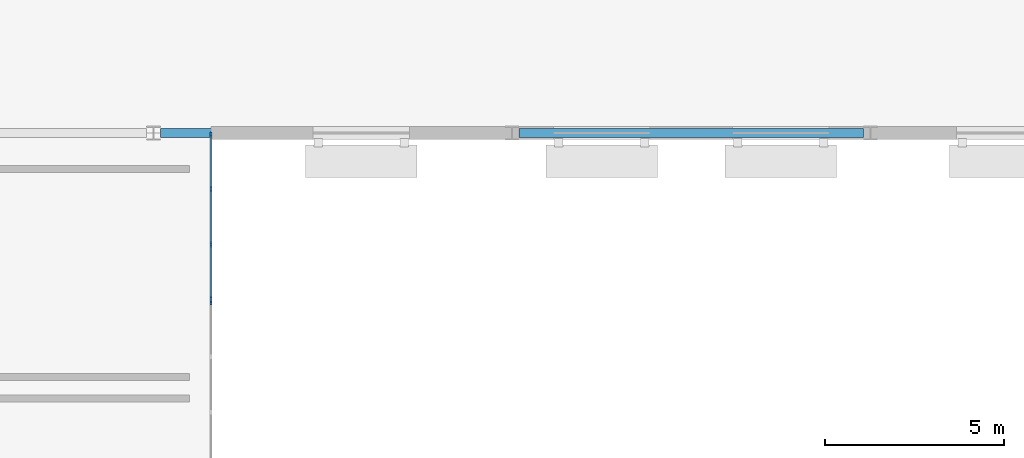
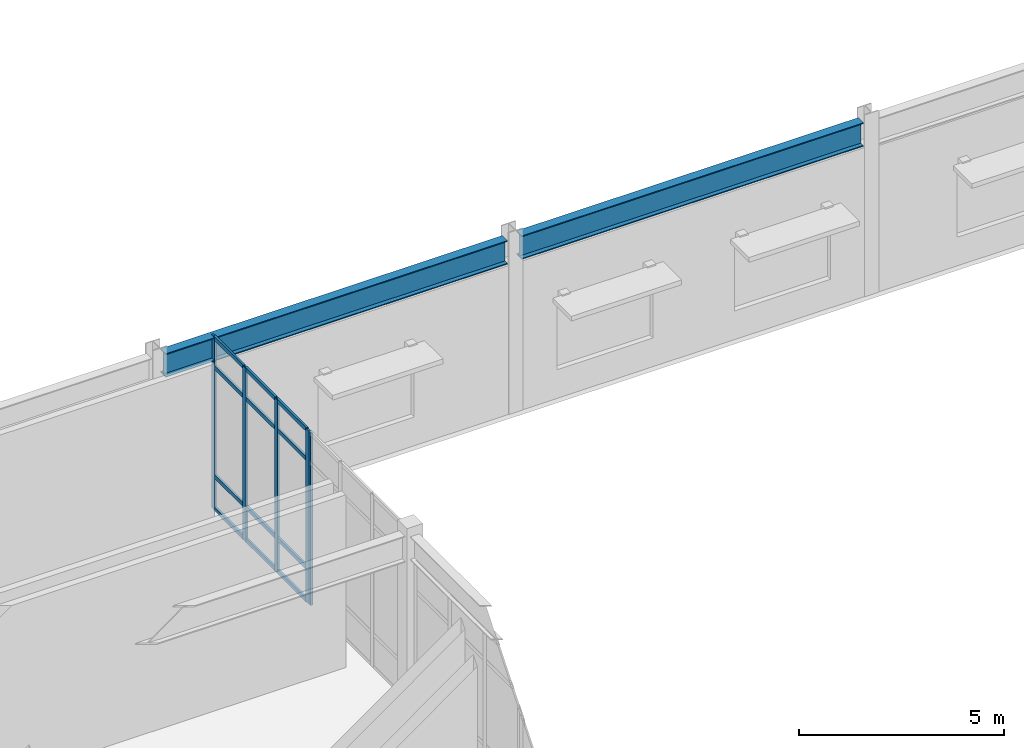
# One storey, part 15 of 72: 17 members, 2 beams, 2 elements without a shape of their own.
"""IFC4 building model written with IfcOpenShell, lengths in metres."""

import ifcopenshell
import ifcopenshell.guid

model = None  # the IFC model being written
_history = None  # IfcOwnerHistory: only IFC2X3 demands one
_inside = {}  # id of a spatial element -> (the spatial element, [elements in it])
_under = {}  # id of a project, library or spatial element -> (it, [spatial elements below it])
_declared = {}  # id of a project -> (the project, [libraries it declares])
_typed = {}  # id of a type object -> (the type object, [elements of that type])
_made_of = {}  # id of a material, layer set ... -> (it, [elements and type objects made of it])


def new_model(schema):
    """Start an empty IFC model of exactly this schema.

    Asked for "IFC4X3", IfcOpenShell would pick the latest addendum, in which some entities
    have other attributes; the version numbers below select the first issue.
    IFC2X3 requires an IfcOwnerHistory on every rooted entity: one is made here for all.
    """
    global model, _history
    if schema == "IFC4X3":
        model = ifcopenshell.file(schema_version=(4, 3, 0, 0))
    else:
        model = ifcopenshell.file(schema=schema)
    _inside.clear()
    _under.clear()
    _declared.clear()
    _typed.clear()
    _made_of.clear()
    _history = None
    if model.schema == "IFC2X3":
        org = make("IfcOrganization", Name="unknown")
        user = make(
            "IfcPersonAndOrganization",
            ThePerson=make("IfcPerson", FamilyName="unknown"),
            TheOrganization=org,
        )
        app = make(
            "IfcApplication",
            ApplicationDeveloper=org,
            Version="unknown",
            ApplicationFullName="unknown",
            ApplicationIdentifier="unknown",
        )
        _history = make(
            "IfcOwnerHistory",
            OwningUser=user,
            OwningApplication=app,
            ChangeAction="ADDED",
            CreationDate=0,
        )
    return model


def make(cls, **values):
    """One entity of the class cls with the attributes given. An attribute that is None is left unset."""
    return model.create_entity(
        cls, **{name: value for name, value in values.items() if value is not None}
    )


def rooted(cls, **values):
    """An entity with a GlobalId (a new one), such as an element, a storey or a relation."""
    return make(cls, GlobalId=ifcopenshell.guid.new(), OwnerHistory=_history, **values)


def si_unit(unit_type, name, prefix=None):
    """IfcSIUnit, for example si_unit("LENGTHUNIT", "METRE", prefix="MILLI")."""
    return make("IfcSIUnit", UnitType=unit_type, Prefix=prefix, Name=name)


def assignment(units):
    """IfcUnitAssignment: the units of a project."""
    return None if units is None else make("IfcUnitAssignment", Units=units)


def point(xyz):
    """IfcCartesianPoint."""
    return None if xyz is None else make("IfcCartesianPoint", Coordinates=xyz)


def direction(xyz):
    """IfcDirection."""
    return None if xyz is None else make("IfcDirection", DirectionRatios=xyz)


def frame(location, z_axis=None, x_axis=None):
    """IfcAxis2Placement3D, a coordinate frame: its origin and axes. An axis left out is left unset."""
    return make(
        "IfcAxis2Placement3D",
        Location=point(location),
        Axis=direction(z_axis),
        RefDirection=direction(x_axis),
    )


def frame_2d(location, x_axis=None):
    """IfcAxis2Placement2D, a coordinate frame in the plane: its origin and x axis."""
    return make(
        "IfcAxis2Placement2D", Location=point(location), RefDirection=direction(x_axis)
    )


def origin():
    """The frame at (0, 0, 0) with its axes left unset."""
    return frame((0.0, 0.0, 0.0))


def origin_2d():
    """The frame at (0, 0) in the plane with its x axis left unset."""
    return frame_2d((0.0, 0.0))


def place(relative_to, where):
    """IfcLocalPlacement: puts the frame where relative to a parent placement (None: the world)."""
    return make(
        "IfcLocalPlacement", PlacementRelTo=relative_to, RelativePlacement=where
    )


def context(
    kind, dimensions, precision=None, world=None, true_north=None, identifier=None
):
    """IfcGeometricRepresentationContext, for example the 3D "Model" context."""
    return make(
        "IfcGeometricRepresentationContext",
        ContextIdentifier=identifier,
        ContextType=kind,
        CoordinateSpaceDimension=dimensions,
        Precision=precision,
        WorldCoordinateSystem=world,
        TrueNorth=true_north,
    )


def subcontext(parent, identifier, kind, view, scale=None):
    """IfcGeometricRepresentationSubContext, for example "Body" below "Model"."""
    return make(
        "IfcGeometricRepresentationSubContext",
        ContextIdentifier=identifier,
        ContextType=kind,
        ParentContext=parent,
        TargetScale=scale,
        TargetView=view,
    )


def project(units=None, contexts=None):
    """IfcProject with its units and contexts."""
    return rooted(
        "IfcProject",
        Name="project",
        RepresentationContexts=contexts,
        UnitsInContext=assignment(units),
    )


def spatial(cls, under=None, at=None, **own):
    """A site, building, storey or space (cls), placed at a placement, below another one or the project."""
    s = rooted(cls, ObjectPlacement=at, **own)
    if under is not None:
        _under.setdefault(under.id(), (under, []))[1].append(s)
    return s


def profile(cls, at=None, kind="AREA", **sizes):
    """A parametric profile (cls). Its sizes go by their IFC names, for example OverallWidth=200.0."""
    return make(cls, ProfileType=kind, Position=at, **sizes)


def rectangle(**sizes):
    """IfcRectangleProfileDef."""
    return profile("IfcRectangleProfileDef", **sizes)


def i_section(**sizes):
    """IfcIShapeProfileDef."""
    return profile("IfcIShapeProfileDef", **sizes)


def extrude(swept, where, along, depth):
    """IfcExtrudedAreaSolid: the profile swept, set in the frame where, extruded along a direction by depth."""
    return make(
        "IfcExtrudedAreaSolid",
        SweptArea=swept,
        Position=where,
        ExtrudedDirection=direction(along),
        Depth=depth,
    )


def shape(context_of_items, identifier, shape_type, items):
    """IfcShapeRepresentation: the items that make up one representation, for example the "Body"."""
    return make(
        "IfcShapeRepresentation",
        ContextOfItems=context_of_items,
        RepresentationIdentifier=identifier,
        RepresentationType=shape_type,
        Items=items,
    )


def material(Name=None, Category=None):
    """IfcMaterial."""
    return make("IfcMaterial", Name=Name, Category=Category)


def material_profile(
    of_material, cross_section, Name=None, Category=None, Priority=None
):
    """IfcMaterialProfile: a cross section and its material."""
    return make(
        "IfcMaterialProfile",
        Name=Name,
        Material=of_material,
        Profile=cross_section,
        Priority=Priority,
        Category=Category,
    )


def profile_set(profiles, Name=None, composite=None):
    """IfcMaterialProfileSet."""
    return make(
        "IfcMaterialProfileSet",
        Name=Name,
        MaterialProfiles=profiles,
        CompositeProfile=composite,
    )


def made_of(thing, what):
    """Note that an element or type object is made of a material, layer set ...; save() writes the relation."""
    if what is not None:
        _made_of.setdefault(what.id(), (what, []))[1].append(thing)
    return thing


def type_object(cls, material=None, **own):
    """A type object (cls), such as IfcWallType, which elements share."""
    return made_of(rooted(cls, **own), material)


def element(
    cls,
    number,
    at=None,
    inside=None,
    cuts=None,
    type_object=None,
    material=None,
    context=None,
    identifier="Body",
    shape_type=None,
    held_by="IfcProductDefinitionShape",
    body=None,
    shapes=None,
    **own,
):
    """One element of the class cls, such as IfcWall. Its Tag is "e" and its number.

    at: its placement. inside: the storey or other place that contains it. cuts: it is an
    opening in that element (IfcRelVoidsElement). A single representation is given by context,
    identifier, shape_type and body (its items); several are given by shapes. held_by: the class
    of the entity that holds the representations. save() writes the other relations.
    """
    e = rooted(cls, Tag="e%d" % number, ObjectPlacement=at, **own)
    if body is not None:
        shapes = [shape(context, identifier, shape_type, body)]
    if shapes is not None:
        e.Representation = make(held_by, Representations=shapes)
    if inside is not None:
        _inside.setdefault(inside.id(), (inside, []))[1].append(e)
    if cuts is not None:
        rooted(
            "IfcRelVoidsElement", RelatingBuildingElement=cuts, RelatedOpeningElement=e
        )
    if type_object is not None:
        _typed.setdefault(type_object.id(), (type_object, []))[1].append(e)
    return made_of(e, material)


def aggregate(whole, parts):
    """IfcRelAggregates: a whole, such as a stair, and the parts it consists of."""
    return rooted("IfcRelAggregates", RelatingObject=whole, RelatedObjects=parts)


def save(model, path):
    """Write the relations noted so far, then the file.

    IfcRelAggregates (storeys below a building ...), IfcRelContainedInSpatialStructure (elements
    in a storey), IfcRelDefinesByType, IfcRelAssociatesMaterial and IfcRelDeclares: one each for
    every whole, place, type object, material and project.
    """
    for whole, parts in _under.values():
        aggregate(whole, parts)
    for where, things in _inside.values():
        rooted(
            "IfcRelContainedInSpatialStructure",
            RelatedElements=things,
            RelatingStructure=where,
        )
    for kind, things in _typed.values():
        rooted("IfcRelDefinesByType", RelatedObjects=things, RelatingType=kind)
    for what, things in _made_of.values():
        rooted("IfcRelAssociatesMaterial", RelatedObjects=things, RelatingMaterial=what)
    for by, libraries in _declared.values():
        rooted("IfcRelDeclares", RelatingContext=by, RelatedDefinitions=libraries)
    model.write(path)


model = new_model("IFC4")

# Units and contexts
model_context = context("Model", 3, precision=1e-05, world=origin(), true_north=direction((0.0, 1.0)))
body_context = subcontext(model_context, "Body", "Model", "MODEL_VIEW")
ifc_project = project(units=[si_unit("LENGTHUNIT", "METRE"), si_unit("AREAUNIT", "SQUARE_METRE"), si_unit("VOLUMEUNIT", "CUBIC_METRE"), si_unit("PLANEANGLEUNIT", "RADIAN"), si_unit("MASSUNIT", "GRAM", prefix="KILO")], contexts=[model_context])

# Site, building, storey
site_placement = place(None, origin())
site = spatial("IfcSite", under=ifc_project, at=site_placement, CompositionType="ELEMENT")
building_placement = place(site_placement, origin())
building = spatial("IfcBuilding", under=site, at=building_placement, Name="Veldera Park Congress Hotel", CompositionType="ELEMENT")
storey_placement = place(building_placement, frame((0.0, 0.0, 5.39990234375)))
storey = spatial("IfcBuildingStorey", under=building, at=storey_placement, Name="L01", CompositionType="ELEMENT", Elevation=5.39990234375)

# Beams
ifc_material_1 = material(Name="Steel ASTM A992 Gr.50", Category="steel")
ifc_material_profile_1 = material_profile(ifc_material_1, i_section(OverallWidth=0.25390625, OverallDepth=0.700927734375, WebThickness=0.015380859375, FlangeThickness=0.02783203125, at=origin_2d()), Name="W27X129")
ifc_profile_set_1 = profile_set([ifc_material_profile_1], Name="Steel ASTM A992 Gr.50")
beam_type = type_object("IfcBeamType", Name="BM-W27B", PredefinedType="BEAM", material=ifc_profile_set_1)
for number, where, z_axis, x_axis, name in (
    (1, (-47.201904296875, -21.0, 4.779541015625), (1.0, 0.0, 0.0), (0.0, 1.0, 0.0), "L01 Girder BM-W27B 573"),
    (2, (-37.201904296875, -21.0, 4.779541015625), (1.0, 0.0, 0.0), (0.0, 1.0, 0.0), "L01 Girder BM-W27B 574"),
):
    element("IfcBeam", number, at=place(storey_placement, frame(where, z_axis=z_axis, x_axis=x_axis)), inside=storey, type_object=beam_type, Name=name, PredefinedType="BEAM", context=body_context, shape_type="SweptSolid", body=[
        extrude(i_section(OverallWidth=0.25390625, OverallDepth=0.700927734375, WebThickness=0.015380859375, FlangeThickness=0.02783203125, at=origin_2d()), origin(), (0.0, 0.0, 1.0), 9.60400390625),
    ])

# Curtain wall, member
ifc_material_2 = material(Name="Low-E Triple Insulating Glass Unit (SHGC 0.22)", Category="glass")
curtain_wall_type = type_object("IfcCurtainWallType", Name="CW-SPA", PredefinedType="NOTDEFINED", material=ifc_material_2)
curtain_wall_1_placement = place(storey_placement, origin())
curtain_wall_1 = element("IfcCurtainWall", 3, at=curtain_wall_1_placement, inside=storey, type_object=curtain_wall_type, Name="L01 Curtain Wall CW3-V3E-L01-043", PredefinedType="NOTDEFINED")
ifc_material_3 = material(Name="Anodised Aluminium Alloy 6063-T6", Category="aluminium")
ifc_material_profile_2 = material_profile(ifc_material_3, rectangle(XDim=0.06005859375, YDim=0.159912109375, at=origin_2d()), Name="ALU 60x160")
ifc_profile_set_2 = profile_set([ifc_material_profile_2], Name="Anodised Aluminium Alloy 6063-T6")
member_type_1 = type_object("IfcMemberType", Name="CWM-160", PredefinedType="MULLION", material=ifc_profile_set_2)
member_1_placement = place(storey_placement, frame((-45.800048828125, -25.719970703125, 0.0), z_axis=(0.0, 0.0, 1.0), x_axis=(-1.0, 0.0, 0.0)))
member_1 = element("IfcMember", 4, at=member_1_placement, type_object=member_type_1, Name="CW-SPA mullion 4", PredefinedType="MULLION", context=body_context, shape_type="SweptSolid", body=[
    extrude(rectangle(XDim=0.06005859375, YDim=0.159912109375, at=origin_2d()), origin(), (0.0, 0.0, 1.0), 5.130126953125),
])
aggregate(curtain_wall_1, [member_1])

# Curtain wall, members
curtain_wall_2_placement = place(storey_placement, origin())
curtain_wall_2 = element("IfcCurtainWall", 5, at=curtain_wall_2_placement, inside=storey, type_object=curtain_wall_type, Name="L01 Curtain Wall CW3-V3E-L01-044", PredefinedType="NOTDEFINED")
member_2_placement = place(storey_placement, frame((-45.800048828125, -25.6298828125, 0.0), z_axis=(0.0, 0.0, 1.0), x_axis=(-1.0, 0.0, 0.0)))
member_2 = element("IfcMember", 6, at=member_2_placement, type_object=member_type_1, Name="CW-SPA mullion 1", PredefinedType="MULLION", context=body_context, shape_type="SweptSolid", body=[
    extrude(rectangle(XDim=0.06005859375, YDim=0.159912109375, at=origin_2d()), origin(), (0.0, 0.0, 1.0), 5.130126953125),
])
member_3_placement = place(storey_placement, frame((-45.800048828125, -24.111572265625, 0.0), z_axis=(0.0, 0.0, 1.0), x_axis=(-1.0, 0.0, 0.0)))
member_3 = element("IfcMember", 7, at=member_3_placement, type_object=member_type_1, Name="CW-SPA mullion 2", PredefinedType="MULLION", context=body_context, shape_type="SweptSolid", body=[
    extrude(rectangle(XDim=0.06005859375, YDim=0.159912109375, at=origin_2d()), origin(), (0.0, 0.0, 1.0), 5.130126953125),
])
member_4_placement = place(storey_placement, frame((-45.800048828125, -22.563232421875, 0.0), z_axis=(0.0, 0.0, 1.0), x_axis=(-1.0, 0.0, 0.0)))
member_4 = element("IfcMember", 8, at=member_4_placement, type_object=member_type_1, Name="CW-SPA mullion 3", PredefinedType="MULLION", context=body_context, shape_type="SweptSolid", body=[
    extrude(rectangle(XDim=0.06005859375, YDim=0.159912109375, at=origin_2d()), origin(), (0.0, 0.0, 1.0), 5.130126953125),
])
member_5_placement = place(storey_placement, frame((-45.800048828125, -21.044921875, 0.0), z_axis=(0.0, 0.0, 1.0), x_axis=(-1.0, 0.0, 0.0)))
member_5 = element("IfcMember", 9, at=member_5_placement, type_object=member_type_1, Name="CW-SPA mullion 4", PredefinedType="MULLION", context=body_context, shape_type="SweptSolid", body=[
    extrude(rectangle(XDim=0.06005859375, YDim=0.159912109375, at=origin_2d()), origin(), (0.0, 0.0, 1.0), 5.130126953125),
])
ifc_material_profile_3 = material_profile(ifc_material_3, rectangle(XDim=0.06005859375, YDim=0.1201171875, at=origin_2d()), Name="ALU 60x120")
ifc_profile_set_3 = profile_set([ifc_material_profile_3], Name="Anodised Aluminium Alloy 6063-T6")
member_type_2 = type_object("IfcMemberType", Name="CWT-120", PredefinedType="USERDEFINED", material=ifc_profile_set_3)
member_6_placement = place(storey_placement, frame((-45.800048828125, -25.60009765625, 0.030029296875), z_axis=(0.0, 1.0, 0.0), x_axis=(-1.0, 0.0, 0.0)))
member_6 = element("IfcMember", 10, at=member_6_placement, type_object=member_type_2, Name="CW-SPA transom 1.1", ObjectType="TRANSOM", PredefinedType="USERDEFINED", context=body_context, shape_type="SweptSolid", body=[
    extrude(rectangle(XDim=0.06005859375, YDim=0.1201171875, at=origin_2d()), origin(), (0.0, 0.0, 1.0), 1.45849609375),
])
member_7_placement = place(storey_placement, frame((-45.800048828125, -25.60009765625, 1.0), z_axis=(0.0, 1.0, 0.0), x_axis=(-1.0, 0.0, 0.0)))
member_7 = element("IfcMember", 11, at=member_7_placement, type_object=member_type_2, Name="CW-SPA transom 1.2", ObjectType="TRANSOM", PredefinedType="USERDEFINED", context=body_context, shape_type="SweptSolid", body=[
    extrude(rectangle(XDim=0.06005859375, YDim=0.1201171875, at=origin_2d()), origin(), (0.0, 0.0, 1.0), 1.45849609375),
])
member_8_placement = place(storey_placement, frame((-45.800048828125, -25.60009765625, 4.22998046875), z_axis=(0.0, 1.0, 0.0), x_axis=(-1.0, 0.0, 0.0)))
member_8 = element("IfcMember", 12, at=member_8_placement, type_object=member_type_2, Name="CW-SPA transom 1.3", ObjectType="TRANSOM", PredefinedType="USERDEFINED", context=body_context, shape_type="SweptSolid", body=[
    extrude(rectangle(XDim=0.06005859375, YDim=0.1201171875, at=origin_2d()), origin(), (0.0, 0.0, 1.0), 1.45849609375),
])
member_9_placement = place(storey_placement, frame((-45.800048828125, -25.60009765625, 5.10009765625), z_axis=(0.0, 1.0, 0.0), x_axis=(-1.0, 0.0, 0.0)))
member_9 = element("IfcMember", 13, at=member_9_placement, type_object=member_type_2, Name="CW-SPA transom 1.4", ObjectType="TRANSOM", PredefinedType="USERDEFINED", context=body_context, shape_type="SweptSolid", body=[
    extrude(rectangle(XDim=0.06005859375, YDim=0.1201171875, at=origin_2d()), origin(), (0.0, 0.0, 1.0), 1.45849609375),
])
member_10_placement = place(storey_placement, frame((-45.800048828125, -24.081787109375, 0.030029296875), z_axis=(0.0, 1.0, 0.0), x_axis=(-1.0, 0.0, 0.0)))
member_10 = element("IfcMember", 14, at=member_10_placement, type_object=member_type_2, Name="CW-SPA transom 2.1", ObjectType="TRANSOM", PredefinedType="USERDEFINED", context=body_context, shape_type="SweptSolid", body=[
    extrude(rectangle(XDim=0.06005859375, YDim=0.1201171875, at=origin_2d()), origin(), (0.0, 0.0, 1.0), 1.488525390625),
])
member_11_placement = place(storey_placement, frame((-45.800048828125, -24.081787109375, 1.0), z_axis=(0.0, 1.0, 0.0), x_axis=(-1.0, 0.0, 0.0)))
member_11 = element("IfcMember", 15, at=member_11_placement, type_object=member_type_2, Name="CW-SPA transom 2.2", ObjectType="TRANSOM", PredefinedType="USERDEFINED", context=body_context, shape_type="SweptSolid", body=[
    extrude(rectangle(XDim=0.06005859375, YDim=0.1201171875, at=origin_2d()), origin(), (0.0, 0.0, 1.0), 1.488525390625),
])
member_12_placement = place(storey_placement, frame((-45.800048828125, -24.081787109375, 4.22998046875), z_axis=(0.0, 1.0, 0.0), x_axis=(-1.0, 0.0, 0.0)))
member_12 = element("IfcMember", 16, at=member_12_placement, type_object=member_type_2, Name="CW-SPA transom 2.3", ObjectType="TRANSOM", PredefinedType="USERDEFINED", context=body_context, shape_type="SweptSolid", body=[
    extrude(rectangle(XDim=0.06005859375, YDim=0.1201171875, at=origin_2d()), origin(), (0.0, 0.0, 1.0), 1.488525390625),
])
member_13_placement = place(storey_placement, frame((-45.800048828125, -24.081787109375, 5.10009765625), z_axis=(0.0, 1.0, 0.0), x_axis=(-1.0, 0.0, 0.0)))
member_13 = element("IfcMember", 17, at=member_13_placement, type_object=member_type_2, Name="CW-SPA transom 2.4", ObjectType="TRANSOM", PredefinedType="USERDEFINED", context=body_context, shape_type="SweptSolid", body=[
    extrude(rectangle(XDim=0.06005859375, YDim=0.1201171875, at=origin_2d()), origin(), (0.0, 0.0, 1.0), 1.488525390625),
])
member_14_placement = place(storey_placement, frame((-45.800048828125, -22.533447265625, 0.030029296875), z_axis=(0.0, 1.0, 0.0), x_axis=(-1.0, 0.0, 0.0)))
member_14 = element("IfcMember", 18, at=member_14_placement, type_object=member_type_2, Name="CW-SPA transom 3.1", ObjectType="TRANSOM", PredefinedType="USERDEFINED", context=body_context, shape_type="SweptSolid", body=[
    extrude(rectangle(XDim=0.06005859375, YDim=0.1201171875, at=origin_2d()), origin(), (0.0, 0.0, 1.0), 1.45849609375),
])
member_15_placement = place(storey_placement, frame((-45.800048828125, -22.533447265625, 1.0), z_axis=(0.0, 1.0, 0.0), x_axis=(-1.0, 0.0, 0.0)))
member_15 = element("IfcMember", 19, at=member_15_placement, type_object=member_type_2, Name="CW-SPA transom 3.2", ObjectType="TRANSOM", PredefinedType="USERDEFINED", context=body_context, shape_type="SweptSolid", body=[
    extrude(rectangle(XDim=0.06005859375, YDim=0.1201171875, at=origin_2d()), origin(), (0.0, 0.0, 1.0), 1.45849609375),
])
member_16_placement = place(storey_placement, frame((-45.800048828125, -22.533447265625, 4.22998046875), z_axis=(0.0, 1.0, 0.0), x_axis=(-1.0, 0.0, 0.0)))
member_16 = element("IfcMember", 20, at=member_16_placement, type_object=member_type_2, Name="CW-SPA transom 3.3", ObjectType="TRANSOM", PredefinedType="USERDEFINED", context=body_context, shape_type="SweptSolid", body=[
    extrude(rectangle(XDim=0.06005859375, YDim=0.1201171875, at=origin_2d()), origin(), (0.0, 0.0, 1.0), 1.45849609375),
])
member_17_placement = place(storey_placement, frame((-45.800048828125, -22.533447265625, 5.10009765625), z_axis=(0.0, 1.0, 0.0), x_axis=(-1.0, 0.0, 0.0)))
member_17 = element("IfcMember", 21, at=member_17_placement, type_object=member_type_2, Name="CW-SPA transom 3.4", ObjectType="TRANSOM", PredefinedType="USERDEFINED", context=body_context, shape_type="SweptSolid", body=[
    extrude(rectangle(XDim=0.06005859375, YDim=0.1201171875, at=origin_2d()), origin(), (0.0, 0.0, 1.0), 1.45849609375),
])
aggregate(curtain_wall_2, [member_2, member_3, member_4, member_5, member_6, member_7, member_8, member_9, member_10, member_11, member_12, member_13, member_14, member_15, member_16, member_17])

save(model, "model.ifc")
